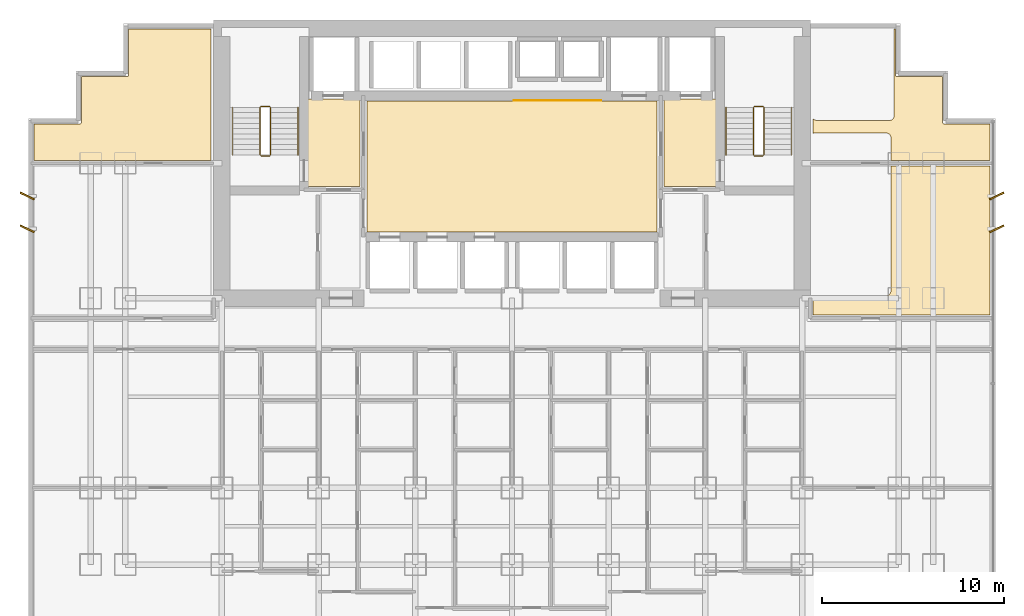
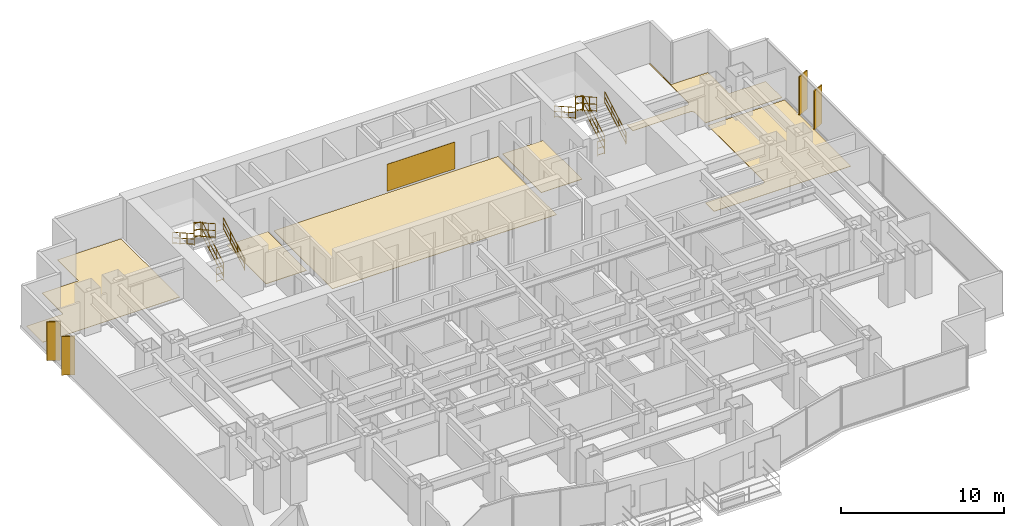
# One storey, part 12 of 12: 12 railings, 7 coverings, 4 shading devices.
"""IFC4 building model written with IfcOpenShell, lengths in metres."""

from ifc_helpers import new_model, si_unit, direction, frame, origin, origin_2d, place, context, subcontext, project, spatial, polyline, rectangle, circle, outline, extrude, source, transform, mapped, material, layer, layer_set, type_object, element, save


model = new_model("IFC4")

# Units and contexts
model_context = context("Model", 3, precision=1e-05, world=origin(), true_north=direction((0.0, 1.0)))
body_context = subcontext(model_context, "Body", "Model", "MODEL_VIEW")
ifc_project = project(units=[si_unit("LENGTHUNIT", "METRE"), si_unit("AREAUNIT", "SQUARE_METRE"), si_unit("VOLUMEUNIT", "CUBIC_METRE"), si_unit("PLANEANGLEUNIT", "RADIAN"), si_unit("MASSUNIT", "GRAM", prefix="KILO")], contexts=[model_context])

# Site, building, storey
site_placement = place(None, origin())
site = spatial("IfcSite", under=ifc_project, at=site_placement, CompositionType="ELEMENT")
building_placement = place(site_placement, origin())
building = spatial("IfcBuilding", under=site, at=building_placement, Name="Qianlan Lanfeng Residences", CompositionType="ELEMENT")
storey_placement = place(building_placement, frame((0.0, 0.0, 27.5)))
storey = spatial("IfcBuildingStorey", under=building, at=storey_placement, Name="L06", CompositionType="ELEMENT", Elevation=27.5)

# Coverings
ifc_material_1 = material(Name="Anodised Bronze Feature Wall Cladding")
ifc_layer_1 = layer(ifc_material_1, 0.02490234375)
ifc_layer_set_1 = layer_set([ifc_layer_1], Name="Anodised Bronze Feature Wall Cladding")
covering_type_1 = type_object("IfcCoveringType", Name="CLD-BRZ-25", PredefinedType="CLADDING", material=ifc_layer_set_1)
covering_1_placement = place(storey_placement, frame((0.0, 0.0, 0.14990234375)))
element("IfcCovering", 1, at=covering_1_placement, inside=storey, type_object=covering_type_1, Name="L06 Lift Lobby Bronze Feature Cladding", PredefinedType="CLADDING", context=body_context, shape_type="SweptSolid", body=[
    extrude(outline(polyline([(26.60009765625, 36.02490234375), (31.39990234375, 36.02490234375), (31.39990234375, 36.050048828125), (26.60009765625, 36.050048828125), (26.60009765625, 36.02490234375)])), origin(), (0.0, 0.0, 1.0), 2.02001953125),
])
ifc_material_2 = material(Name="Honed Taitung Granite Stone Flooring", Category="masonry")
ifc_layer_2 = layer(ifc_material_2, 0.030029296875)
ifc_layer_set_2 = layer_set([ifc_layer_2], Name="Honed Taitung Granite Stone Flooring")
covering_type_2 = type_object("IfcCoveringType", Name="FLR-STN-30", PredefinedType="FLOORING", material=ifc_layer_set_2)
covering_2_placement = place(storey_placement, origin())
element("IfcCovering", 2, at=covering_2_placement, inside=storey, type_object=covering_type_2, Name="L06 Firefighting Lift Lobby Floor Finish", PredefinedType="FLOORING", context=body_context, shape_type="SweptSolid", body=[
    extrude(outline(polyline([(15.2900390625, 31.320068359375), (18.179931640625, 31.320068359375), (18.179931640625, 36.110107421875), (15.2900390625, 36.110107421875), (15.2900390625, 31.320068359375)])), origin(), (0.0, 0.0, 1.0), 0.030029296875),
])
covering_3_placement = place(storey_placement, origin())
element("IfcCovering", 3, at=covering_3_placement, inside=storey, type_object=covering_type_2, Name="L06 Firefighting Lift Lobby Floor Finish", PredefinedType="FLOORING", context=body_context, shape_type="SweptSolid", body=[
    extrude(outline(polyline([(34.820068359375, 31.320068359375), (37.7099609375, 31.320068359375), (37.7099609375, 36.110107421875), (34.820068359375, 36.110107421875), (34.820068359375, 31.320068359375)])), origin(), (0.0, 0.0, 1.0), 0.030029296875),
])
covering_4_placement = place(storey_placement, origin())
element("IfcCovering", 4, at=covering_4_placement, inside=storey, type_object=covering_type_2, Name="L06 Lift Lobby Floor Finish", PredefinedType="FLOORING", context=body_context, shape_type="SweptSolid", body=[
    extrude(outline(polyline([(18.550048828125, 28.820068359375), (34.449951171875, 28.820068359375), (34.449951171875, 36.010009765625), (18.550048828125, 36.010009765625), (18.550048828125, 28.820068359375)])), origin(), (0.0, 0.0, 1.0), 0.030029296875),
])
ifc_material_3 = material(Name="Engineered Smoked Oak Timber Flooring", Category="wood")
ifc_layer_3 = layer(ifc_material_3, 0.02197265625)
ifc_layer_set_3 = layer_set([ifc_layer_3], Name="Engineered Smoked Oak Timber Flooring")
covering_type_3 = type_object("IfcCoveringType", Name="FLR-TIM-22", PredefinedType="FLOORING", material=ifc_layer_set_3)
covering_5_placement = place(storey_placement, origin())
element("IfcCovering", 5, at=covering_5_placement, inside=storey, type_object=covering_type_3, Name="L06 Resident Lounge Floor Finish", PredefinedType="FLOORING", context=body_context, shape_type="SweptSolid", body=[
    extrude(outline(polyline([(0.2900390625, 32.75), (10.0, 32.75), (10.0, 39.9599609375), (5.489990234375, 39.9599609375), (5.489990234375, 37.429931640625), (5.489990234375, 37.423095703125), (5.489013671875, 37.416015625), (5.487060546875, 37.409912109375), (5.485107421875, 37.403076171875), (5.48193359375, 37.39697265625), (5.47802734375, 37.39111328125), (5.47412109375, 37.385986328125), (5.468994140625, 37.381103515625), (5.464111328125, 37.3759765625), (5.458984375, 37.3720703125), (5.452880859375, 37.367919921875), (5.447021484375, 37.364990234375), (5.43994140625, 37.363037109375), (5.43408203125, 37.361083984375), (5.427001953125, 37.360107421875), (5.419921875, 37.360107421875), (2.889892578125, 37.360107421875), (2.889892578125, 34.830078125), (2.889892578125, 34.822998046875), (2.888916015625, 34.81591796875), (2.886962890625, 34.81005859375), (2.885009765625, 34.802978515625), (2.882080078125, 34.797119140625), (2.8779296875, 34.791015625), (2.8740234375, 34.785888671875), (2.868896484375, 34.781005859375), (2.864013671875, 34.77587890625), (2.85888671875, 34.77197265625), (2.85302734375, 34.76806640625), (2.846923828125, 34.764892578125), (2.840087890625, 34.762939453125), (2.833984375, 34.760986328125), (2.826904296875, 34.760009765625), (2.820068359375, 34.760009765625), (0.2900390625, 34.760009765625), (0.2900390625, 32.75)])), origin(), (0.0, 0.0, 1.0), 0.02197265625),
])
covering_6_placement = place(storey_placement, origin())
element("IfcCovering", 6, at=covering_6_placement, inside=storey, type_object=covering_type_3, Name="L06 Co-Working Business Suite Floor Finish", PredefinedType="FLOORING", context=body_context, shape_type="SweptSolid", body=[
    extrude(outline(polyline([(52.7099609375, 32.449951171875), (47.27001953125, 32.449951171875), (47.27001953125, 25.60009765625), (47.26904296875, 25.574951171875), (47.264892578125, 25.551025390625), (47.259033203125, 25.527099609375), (47.2509765625, 25.50390625), (47.239990234375, 25.48193359375), (47.22802734375, 25.4609375), (47.212890625, 25.44091796875), (47.197021484375, 25.423095703125), (47.178955078125, 25.406982421875), (47.158935546875, 25.39208984375), (47.137939453125, 25.3798828125), (47.115966796875, 25.368896484375), (47.093017578125, 25.361083984375), (47.069091796875, 25.35498046875), (47.044921875, 25.35107421875), (47.02001953125, 25.35009765625), (43.080078125, 25.35009765625), (43.054931640625, 25.35107421875), (43.031005859375, 25.35498046875), (43.007080078125, 25.361083984375), (43.0, 25.363037109375), (43.0, 24.280029296875), (52.7099609375, 24.280029296875), (52.7099609375, 32.449951171875)])), origin(), (0.0, 0.0, 1.0), 0.02197265625),
])
covering_7_placement = place(storey_placement, origin())
element("IfcCovering", 7, at=covering_7_placement, inside=storey, type_object=covering_type_3, Name="L06 Resident Lounge Floor Finish", PredefinedType="FLOORING", context=body_context, shape_type="SweptSolid", body=[
    extrude(outline(polyline([(43.0, 34.237060546875), (43.007080078125, 34.239013671875), (43.031005859375, 34.2451171875), (43.054931640625, 34.2490234375), (43.080078125, 34.25), (47.02001953125, 34.25), (47.044921875, 34.2490234375), (47.069091796875, 34.2451171875), (47.093017578125, 34.239013671875), (47.115966796875, 34.23095703125), (47.137939453125, 34.219970703125), (47.158935546875, 34.2080078125), (47.178955078125, 34.193115234375), (47.197021484375, 34.177001953125), (47.212890625, 34.158935546875), (47.22802734375, 34.138916015625), (47.239990234375, 34.117919921875), (47.2509765625, 34.095947265625), (47.259033203125, 34.072998046875), (47.264892578125, 34.049072265625), (47.26904296875, 34.02490234375), (47.27001953125, 34.0), (47.27001953125, 32.75), (52.7099609375, 32.75), (52.7099609375, 34.760009765625), (50.179931640625, 34.760009765625), (50.173095703125, 34.760009765625), (50.166015625, 34.760986328125), (50.159912109375, 34.762939453125), (50.153076171875, 34.764892578125), (50.14697265625, 34.76806640625), (50.14111328125, 34.77197265625), (50.135986328125, 34.77587890625), (50.131103515625, 34.781005859375), (50.1259765625, 34.785888671875), (50.1220703125, 34.791015625), (50.117919921875, 34.797119140625), (50.114990234375, 34.802978515625), (50.113037109375, 34.81005859375), (50.111083984375, 34.81591796875), (50.110107421875, 34.822998046875), (50.110107421875, 34.830078125), (50.110107421875, 37.360107421875), (47.580078125, 37.360107421875), (47.572998046875, 37.360107421875), (47.56591796875, 37.361083984375), (47.56005859375, 37.363037109375), (47.552978515625, 37.364990234375), (47.547119140625, 37.367919921875), (47.541015625, 37.3720703125), (47.535888671875, 37.3759765625), (47.531005859375, 37.381103515625), (47.52587890625, 37.385986328125), (47.52197265625, 37.39111328125), (47.51806640625, 37.39697265625), (47.514892578125, 37.403076171875), (47.512939453125, 37.409912109375), (47.510986328125, 37.416015625), (47.510009765625, 37.423095703125), (47.510009765625, 37.429931640625), (47.510009765625, 39.9599609375), (47.449951171875, 39.9599609375), (47.449951171875, 35.199951171875), (47.448974609375, 35.175048828125), (47.445068359375, 35.15087890625), (47.43896484375, 35.126953125), (47.430908203125, 35.10400390625), (47.419921875, 35.08203125), (47.407958984375, 35.06103515625), (47.39306640625, 35.041015625), (47.376953125, 35.02294921875), (47.35888671875, 35.007080078125), (47.339111328125, 34.991943359375), (47.318115234375, 34.97998046875), (47.2958984375, 34.968994140625), (47.27294921875, 34.9609375), (47.2490234375, 34.955078125), (47.22509765625, 34.950927734375), (47.199951171875, 34.949951171875), (43.199951171875, 34.949951171875), (43.175048828125, 34.950927734375), (43.15087890625, 34.955078125), (43.126953125, 34.9609375), (43.10400390625, 34.968994140625), (43.08203125, 34.97998046875), (43.06103515625, 34.991943359375), (43.041015625, 35.007080078125), (43.02294921875, 35.02294921875), (43.007080078125, 35.041015625), (43.0, 35.050048828125), (43.0, 34.237060546875)])), origin(), (0.0, 0.0, 1.0), 0.02197265625),
])

# Railings
ifc_material_4 = material(Name="Painted Galvanised Steel Guardrail", Category="steel")
railing_type_1 = type_object("IfcRailingType", Name="GR-ST-1120", PredefinedType="GUARDRAIL", material=ifc_material_4)
railing_1_placement = place(storey_placement, frame((13.27001953125, 33.050048828125, 0.1650390625)))
element("IfcRailing", 8, at=railing_1_placement, inside=storey, type_object=railing_type_1, Name="L06 ST-1 stair guard 1", PredefinedType="GUARDRAIL", context=body_context, shape_type="SweptSolid", body=[
    extrude(circle(Radius=0.02392578125, at=origin_2d()), frame((0.0, 0.0, 0.083984375), z_axis=(0.0, 0.869172267526, 0.494509422927), x_axis=(-1.0, 0.0, 0.0)), (0.0, 0.0, 1.0), 3.002685546875),
    extrude(circle(Radius=0.02392578125, at=origin_2d()), frame((0.0, 0.0, 0.58251953125), z_axis=(0.0, 0.869172267526, 0.494509422927), x_axis=(-1.0, 0.0, 0.0)), (0.0, 0.0, 1.0), 3.002685546875),
    extrude(circle(Radius=0.02392578125, at=origin_2d()), frame((0.0, 0.0, 1.09619140625), z_axis=(0.0, 0.869172267526, 0.494509422927), x_axis=(-1.0, 0.0, 0.0)), (0.0, 0.0, 1.0), 3.002685546875),
    extrude(circle(Radius=0.02099609375, at=origin_2d()), origin(), (0.0, 0.0, 1.0), 1.072021484375),
    extrude(circle(Radius=0.02099609375, at=origin_2d()), frame((0.0, 0.869873046875, 0.494873046875)), (0.0, 0.0, 1.0), 1.072021484375),
    extrude(circle(Radius=0.02099609375, at=origin_2d()), frame((0.0, 1.739990234375, 0.989990234375)), (0.0, 0.0, 1.0), 1.072021484375),
    extrude(circle(Radius=0.02099609375, at=origin_2d()), frame((0.0, 2.60986328125, 1.48486328125)), (0.0, 0.0, 1.0), 1.072021484375),
])
railing_2_placement = place(storey_placement, frame((13.219970703125, 35.7099609375, 1.64990234375)))
element("IfcRailing", 9, at=railing_2_placement, inside=storey, type_object=railing_type_1, Name="L06 ST-1 stair guard 2", PredefinedType="GUARDRAIL", context=body_context, shape_type="SweptSolid", body=[
    extrude(circle(Radius=0.02392578125, at=origin_2d()), frame((0.0, 0.0, 0.083984375), z_axis=(-1.0, 0.0, 0.0), x_axis=(0.0, -1.0, 0.0)), (0.0, 0.0, 1.0), 0.47998046875),
    extrude(circle(Radius=0.02392578125, at=origin_2d()), frame((0.0, 0.0, 0.58251953125), z_axis=(-1.0, 0.0, 0.0), x_axis=(0.0, -1.0, 0.0)), (0.0, 0.0, 1.0), 0.47998046875),
    extrude(circle(Radius=0.02392578125, at=origin_2d()), frame((0.0, 0.0, 1.09619140625), z_axis=(-1.0, 0.0, 0.0), x_axis=(0.0, -1.0, 0.0)), (0.0, 0.0, 1.0), 0.47998046875),
    extrude(circle(Radius=0.02099609375, at=origin_2d()), origin(), (0.0, 0.0, 1.0), 1.072021484375),
    extrude(circle(Radius=0.02099609375, at=origin_2d()), frame((-0.47998046875, 0.0, 0.0)), (0.0, 0.0, 1.0), 1.072021484375),
])
railing_3_placement = place(storey_placement, frame((12.68994140625, 35.659912109375, 1.81494140625)))
element("IfcRailing", 10, at=railing_3_placement, inside=storey, type_object=railing_type_1, Name="L06 ST-1 stair guard 3", PredefinedType="GUARDRAIL", context=body_context, shape_type="SweptSolid", body=[
    extrude(circle(Radius=0.02392578125, at=origin_2d()), frame((0.0, 0.0, 0.083984375), z_axis=(0.0, -0.869137319866, 0.494570843475), x_axis=(1.0, 0.0, 0.0)), (0.0, 0.0, 1.0), 3.0029296875),
    extrude(circle(Radius=0.02392578125, at=origin_2d()), frame((0.0, 0.0, 0.58251953125), z_axis=(0.0, -0.869137319866, 0.494570843475), x_axis=(1.0, 0.0, 0.0)), (0.0, 0.0, 1.0), 3.0029296875),
    extrude(circle(Radius=0.02392578125, at=origin_2d()), frame((0.0, 0.0, 1.09619140625), z_axis=(0.0, -0.869137319866, 0.494570843475), x_axis=(1.0, 0.0, 0.0)), (0.0, 0.0, 1.0), 3.0029296875),
    extrude(circle(Radius=0.02099609375, at=origin_2d()), origin(), (0.0, 0.0, 1.0), 1.072021484375),
    extrude(circle(Radius=0.02099609375, at=origin_2d()), frame((0.0, -0.869873046875, 0.4951171875)), (0.0, 0.0, 1.0), 1.072021484375),
    extrude(circle(Radius=0.02099609375, at=origin_2d()), frame((0.0, -1.739990234375, 0.989990234375)), (0.0, 0.0, 1.0), 1.072021484375),
    extrude(circle(Radius=0.02099609375, at=origin_2d()), frame((0.0, -2.60986328125, 1.485107421875)), (0.0, 0.0, 1.0), 1.072021484375),
])
railing_4_placement = place(storey_placement, frame((13.219970703125, 33.0, 0.0)))
element("IfcRailing", 11, at=railing_4_placement, inside=storey, type_object=railing_type_1, Name="L06 ST-1 stair guard 4", PredefinedType="GUARDRAIL", context=body_context, shape_type="SweptSolid", body=[
    extrude(circle(Radius=0.02392578125, at=origin_2d()), frame((0.0, 0.0, 0.083984375), z_axis=(-1.0, 0.0, 0.0), x_axis=(0.0, -1.0, 0.0)), (0.0, 0.0, 1.0), 0.47998046875),
    extrude(circle(Radius=0.02392578125, at=origin_2d()), frame((0.0, 0.0, 0.58251953125), z_axis=(-1.0, 0.0, 0.0), x_axis=(0.0, -1.0, 0.0)), (0.0, 0.0, 1.0), 0.47998046875),
    extrude(circle(Radius=0.02392578125, at=origin_2d()), frame((0.0, 0.0, 1.09619140625), z_axis=(-1.0, 0.0, 0.0), x_axis=(0.0, -1.0, 0.0)), (0.0, 0.0, 1.0), 0.47998046875),
    extrude(circle(Radius=0.02099609375, at=origin_2d()), origin(), (0.0, 0.0, 1.0), 1.072021484375),
    extrude(circle(Radius=0.02099609375, at=origin_2d()), frame((-0.47998046875, 0.0, 0.0)), (0.0, 0.0, 1.0), 1.072021484375),
])
railing_5_placement = place(storey_placement, frame((40.31005859375, 33.050048828125, 0.1650390625)))
element("IfcRailing", 12, at=railing_5_placement, inside=storey, type_object=railing_type_1, Name="L06 ST-2 stair guard 1", PredefinedType="GUARDRAIL", context=body_context, shape_type="SweptSolid", body=[
    extrude(circle(Radius=0.02392578125, at=origin_2d()), frame((0.0, 0.0, 0.083984375), z_axis=(0.0, 0.869172267526, 0.494509422927), x_axis=(-1.0, 0.0, 0.0)), (0.0, 0.0, 1.0), 3.002685546875),
    extrude(circle(Radius=0.02392578125, at=origin_2d()), frame((0.0, 0.0, 0.58251953125), z_axis=(0.0, 0.869172267526, 0.494509422927), x_axis=(-1.0, 0.0, 0.0)), (0.0, 0.0, 1.0), 3.002685546875),
    extrude(circle(Radius=0.02392578125, at=origin_2d()), frame((0.0, 0.0, 1.09619140625), z_axis=(0.0, 0.869172267526, 0.494509422927), x_axis=(-1.0, 0.0, 0.0)), (0.0, 0.0, 1.0), 3.002685546875),
    extrude(circle(Radius=0.02099609375, at=origin_2d()), origin(), (0.0, 0.0, 1.0), 1.072021484375),
    extrude(circle(Radius=0.02099609375, at=origin_2d()), frame((0.0, 0.869873046875, 0.494873046875)), (0.0, 0.0, 1.0), 1.072021484375),
    extrude(circle(Radius=0.02099609375, at=origin_2d()), frame((0.0, 1.739990234375, 0.989990234375)), (0.0, 0.0, 1.0), 1.072021484375),
    extrude(circle(Radius=0.02099609375, at=origin_2d()), frame((0.0, 2.60986328125, 1.48486328125)), (0.0, 0.0, 1.0), 1.072021484375),
])
railing_6_placement = place(storey_placement, frame((40.260009765625, 35.7099609375, 1.64990234375)))
element("IfcRailing", 13, at=railing_6_placement, inside=storey, type_object=railing_type_1, Name="L06 ST-2 stair guard 2", PredefinedType="GUARDRAIL", context=body_context, shape_type="SweptSolid", body=[
    extrude(circle(Radius=0.02392578125, at=origin_2d()), frame((0.0, 0.0, 0.083984375), z_axis=(-1.0, 0.0, 0.0), x_axis=(0.0, -1.0, 0.0)), (0.0, 0.0, 1.0), 0.47998046875),
    extrude(circle(Radius=0.02392578125, at=origin_2d()), frame((0.0, 0.0, 0.58251953125), z_axis=(-1.0, 0.0, 0.0), x_axis=(0.0, -1.0, 0.0)), (0.0, 0.0, 1.0), 0.47998046875),
    extrude(circle(Radius=0.02392578125, at=origin_2d()), frame((0.0, 0.0, 1.09619140625), z_axis=(-1.0, 0.0, 0.0), x_axis=(0.0, -1.0, 0.0)), (0.0, 0.0, 1.0), 0.47998046875),
    extrude(circle(Radius=0.02099609375, at=origin_2d()), origin(), (0.0, 0.0, 1.0), 1.072021484375),
    extrude(circle(Radius=0.02099609375, at=origin_2d()), frame((-0.47998046875, 0.0, 0.0)), (0.0, 0.0, 1.0), 1.072021484375),
])
railing_7_placement = place(storey_placement, frame((39.72998046875, 35.659912109375, 1.81494140625)))
element("IfcRailing", 14, at=railing_7_placement, inside=storey, type_object=railing_type_1, Name="L06 ST-2 stair guard 3", PredefinedType="GUARDRAIL", context=body_context, shape_type="SweptSolid", body=[
    extrude(circle(Radius=0.02392578125, at=origin_2d()), frame((0.0, 0.0, 0.083984375), z_axis=(0.0, -0.869137319866, 0.494570843475), x_axis=(1.0, 0.0, 0.0)), (0.0, 0.0, 1.0), 3.0029296875),
    extrude(circle(Radius=0.02392578125, at=origin_2d()), frame((0.0, 0.0, 0.58251953125), z_axis=(0.0, -0.869137319866, 0.494570843475), x_axis=(1.0, 0.0, 0.0)), (0.0, 0.0, 1.0), 3.0029296875),
    extrude(circle(Radius=0.02392578125, at=origin_2d()), frame((0.0, 0.0, 1.09619140625), z_axis=(0.0, -0.869137319866, 0.494570843475), x_axis=(1.0, 0.0, 0.0)), (0.0, 0.0, 1.0), 3.0029296875),
    extrude(circle(Radius=0.02099609375, at=origin_2d()), origin(), (0.0, 0.0, 1.0), 1.072021484375),
    extrude(circle(Radius=0.02099609375, at=origin_2d()), frame((0.0, -0.869873046875, 0.4951171875)), (0.0, 0.0, 1.0), 1.072021484375),
    extrude(circle(Radius=0.02099609375, at=origin_2d()), frame((0.0, -1.739990234375, 0.989990234375)), (0.0, 0.0, 1.0), 1.072021484375),
    extrude(circle(Radius=0.02099609375, at=origin_2d()), frame((0.0, -2.60986328125, 1.485107421875)), (0.0, 0.0, 1.0), 1.072021484375),
])
railing_8_placement = place(storey_placement, frame((40.260009765625, 33.0, 0.0)))
element("IfcRailing", 15, at=railing_8_placement, inside=storey, type_object=railing_type_1, Name="L06 ST-2 stair guard 4", PredefinedType="GUARDRAIL", context=body_context, shape_type="SweptSolid", body=[
    extrude(circle(Radius=0.02392578125, at=origin_2d()), frame((0.0, 0.0, 0.083984375), z_axis=(-1.0, 0.0, 0.0), x_axis=(0.0, -1.0, 0.0)), (0.0, 0.0, 1.0), 0.47998046875),
    extrude(circle(Radius=0.02392578125, at=origin_2d()), frame((0.0, 0.0, 0.58251953125), z_axis=(-1.0, 0.0, 0.0), x_axis=(0.0, -1.0, 0.0)), (0.0, 0.0, 1.0), 0.47998046875),
    extrude(circle(Radius=0.02392578125, at=origin_2d()), frame((0.0, 0.0, 1.09619140625), z_axis=(-1.0, 0.0, 0.0), x_axis=(0.0, -1.0, 0.0)), (0.0, 0.0, 1.0), 0.47998046875),
    extrude(circle(Radius=0.02099609375, at=origin_2d()), origin(), (0.0, 0.0, 1.0), 1.072021484375),
    extrude(circle(Radius=0.02099609375, at=origin_2d()), frame((-0.47998046875, 0.0, 0.0)), (0.0, 0.0, 1.0), 1.072021484375),
])
ifc_material_5 = material(Name="Brushed Stainless Steel Handrail", Category="steel")
railing_type_2 = type_object("IfcRailingType", Name="HR-ST-920", PredefinedType="HANDRAIL", material=ifc_material_5)
railing_9_placement = place(storey_placement, frame((14.77001953125, 33.050048828125, 0.1650390625)))
element("IfcRailing", 16, at=railing_9_placement, inside=storey, type_object=railing_type_2, Name="L06 ST-1 stair handrail 1", PredefinedType="HANDRAIL", context=body_context, shape_type="SweptSolid", body=[
    extrude(circle(Radius=0.02392578125, at=origin_2d()), frame((0.0, 0.0, 0.083984375), z_axis=(0.0, 0.869172267526, 0.494509422927), x_axis=(-1.0, 0.0, 0.0)), (0.0, 0.0, 1.0), 3.002685546875),
    extrude(circle(Radius=0.02392578125, at=origin_2d()), frame((0.0, 0.0, 0.468017578125), z_axis=(0.0, 0.869172267526, 0.494509422927), x_axis=(-1.0, 0.0, 0.0)), (0.0, 0.0, 1.0), 3.002685546875),
    extrude(circle(Radius=0.02392578125, at=origin_2d()), frame((0.0, 0.0, 0.8759765625), z_axis=(0.0, 0.869172267526, 0.494509422927), x_axis=(-1.0, 0.0, 0.0)), (0.0, 0.0, 1.0), 3.002685546875),
    extrude(circle(Radius=0.02099609375, at=origin_2d()), origin(), (0.0, 0.0, 1.0), 0.851806640625),
    extrude(circle(Radius=0.02099609375, at=origin_2d()), frame((0.0, 0.869873046875, 0.494873046875)), (0.0, 0.0, 1.0), 0.851806640625),
    extrude(circle(Radius=0.02099609375, at=origin_2d()), frame((0.0, 1.739990234375, 0.989990234375)), (0.0, 0.0, 1.0), 0.851806640625),
    extrude(circle(Radius=0.02099609375, at=origin_2d()), frame((0.0, 2.60986328125, 1.48486328125)), (0.0, 0.0, 1.0), 0.851806640625),
])
railing_10_placement = place(storey_placement, frame((11.18994140625, 35.659912109375, 1.81494140625)))
element("IfcRailing", 17, at=railing_10_placement, inside=storey, type_object=railing_type_2, Name="L06 ST-1 stair handrail 2", PredefinedType="HANDRAIL", context=body_context, shape_type="SweptSolid", body=[
    extrude(circle(Radius=0.02392578125, at=origin_2d()), frame((0.0, 0.0, 0.083984375), z_axis=(0.0, -0.869137319866, 0.494570843475), x_axis=(1.0, 0.0, 0.0)), (0.0, 0.0, 1.0), 3.0029296875),
    extrude(circle(Radius=0.02392578125, at=origin_2d()), frame((0.0, 0.0, 0.468017578125), z_axis=(0.0, -0.869137319866, 0.494570843475), x_axis=(1.0, 0.0, 0.0)), (0.0, 0.0, 1.0), 3.0029296875),
    extrude(circle(Radius=0.02392578125, at=origin_2d()), frame((0.0, 0.0, 0.8759765625), z_axis=(0.0, -0.869137319866, 0.494570843475), x_axis=(1.0, 0.0, 0.0)), (0.0, 0.0, 1.0), 3.0029296875),
    extrude(circle(Radius=0.02099609375, at=origin_2d()), origin(), (0.0, 0.0, 1.0), 0.851806640625),
    extrude(circle(Radius=0.02099609375, at=origin_2d()), frame((0.0, -0.869873046875, 0.4951171875)), (0.0, 0.0, 1.0), 0.851806640625),
    extrude(circle(Radius=0.02099609375, at=origin_2d()), frame((0.0, -1.739990234375, 0.989990234375)), (0.0, 0.0, 1.0), 0.851806640625),
    extrude(circle(Radius=0.02099609375, at=origin_2d()), frame((0.0, -2.60986328125, 1.485107421875)), (0.0, 0.0, 1.0), 0.851806640625),
])
railing_11_placement = place(storey_placement, frame((41.81005859375, 33.050048828125, 0.1650390625)))
element("IfcRailing", 18, at=railing_11_placement, inside=storey, type_object=railing_type_2, Name="L06 ST-2 stair handrail 1", PredefinedType="HANDRAIL", context=body_context, shape_type="SweptSolid", body=[
    extrude(circle(Radius=0.02392578125, at=origin_2d()), frame((0.0, 0.0, 0.083984375), z_axis=(0.0, 0.869172267526, 0.494509422927), x_axis=(-1.0, 0.0, 0.0)), (0.0, 0.0, 1.0), 3.002685546875),
    extrude(circle(Radius=0.02392578125, at=origin_2d()), frame((0.0, 0.0, 0.468017578125), z_axis=(0.0, 0.869172267526, 0.494509422927), x_axis=(-1.0, 0.0, 0.0)), (0.0, 0.0, 1.0), 3.002685546875),
    extrude(circle(Radius=0.02392578125, at=origin_2d()), frame((0.0, 0.0, 0.8759765625), z_axis=(0.0, 0.869172267526, 0.494509422927), x_axis=(-1.0, 0.0, 0.0)), (0.0, 0.0, 1.0), 3.002685546875),
    extrude(circle(Radius=0.02099609375, at=origin_2d()), origin(), (0.0, 0.0, 1.0), 0.851806640625),
    extrude(circle(Radius=0.02099609375, at=origin_2d()), frame((0.0, 0.869873046875, 0.494873046875)), (0.0, 0.0, 1.0), 0.851806640625),
    extrude(circle(Radius=0.02099609375, at=origin_2d()), frame((0.0, 1.739990234375, 0.989990234375)), (0.0, 0.0, 1.0), 0.851806640625),
    extrude(circle(Radius=0.02099609375, at=origin_2d()), frame((0.0, 2.60986328125, 1.48486328125)), (0.0, 0.0, 1.0), 0.851806640625),
])
railing_12_placement = place(storey_placement, frame((38.22998046875, 35.659912109375, 1.81494140625)))
element("IfcRailing", 19, at=railing_12_placement, inside=storey, type_object=railing_type_2, Name="L06 ST-2 stair handrail 2", PredefinedType="HANDRAIL", context=body_context, shape_type="SweptSolid", body=[
    extrude(circle(Radius=0.02392578125, at=origin_2d()), frame((0.0, 0.0, 0.083984375), z_axis=(0.0, -0.869137319866, 0.494570843475), x_axis=(1.0, 0.0, 0.0)), (0.0, 0.0, 1.0), 3.0029296875),
    extrude(circle(Radius=0.02392578125, at=origin_2d()), frame((0.0, 0.0, 0.468017578125), z_axis=(0.0, -0.869137319866, 0.494570843475), x_axis=(1.0, 0.0, 0.0)), (0.0, 0.0, 1.0), 3.0029296875),
    extrude(circle(Radius=0.02392578125, at=origin_2d()), frame((0.0, 0.0, 0.8759765625), z_axis=(0.0, -0.869137319866, 0.494570843475), x_axis=(1.0, 0.0, 0.0)), (0.0, 0.0, 1.0), 3.0029296875),
    extrude(circle(Radius=0.02099609375, at=origin_2d()), origin(), (0.0, 0.0, 1.0), 0.851806640625),
    extrude(circle(Radius=0.02099609375, at=origin_2d()), frame((0.0, -0.869873046875, 0.4951171875)), (0.0, 0.0, 1.0), 0.851806640625),
    extrude(circle(Radius=0.02099609375, at=origin_2d()), frame((0.0, -1.739990234375, 0.989990234375)), (0.0, 0.0, 1.0), 0.851806640625),
    extrude(circle(Radius=0.02099609375, at=origin_2d()), frame((0.0, -2.60986328125, 1.485107421875)), (0.0, 0.0, 1.0), 0.851806640625),
])

# Shading devices
ifc_material_6 = material(Name="Anodised Bronze Aluminium Solar Fin", Category="aluminium")
shading_device_type = type_object("IfcShadingDeviceType", Name="FIN-BRZ-850", PredefinedType="SHUTTER", material=ifc_material_6)
shared_shape = source(origin(), body_context, "Body", "SweptSolid", [
    extrude(rectangle(XDim=0.85009765625, YDim=0.080078125, at=origin_2d()), origin(), (0.0, 0.0, 1.0), 2.89990234375),
])
for number, where, z_axis, x_axis, name in (
    (20, (-0.070068359375, 29.0, 0.0), (0.0, 0.0, 1.0), (0.898794046299, -0.438371146789, 0.0), "L06 Raked Bronze Solar Fin W1"),
    (21, (-0.070068359375, 30.800048828125, 0.0), (0.0, 0.0, 1.0), (0.898794046299, -0.438371146789, 0.0), "L06 Raked Bronze Solar Fin W2"),
    (22, (53.070068359375, 29.0, 0.0), (0.0, 0.0, 1.0), (0.898794046299, 0.438371146789, 0.0), "L06 Raked Bronze Solar Fin E1"),
    (23, (53.070068359375, 30.800048828125, 0.0), (0.0, 0.0, 1.0), (0.898794046299, 0.438371146789, 0.0), "L06 Raked Bronze Solar Fin E2"),
):
    element("IfcShadingDevice", number, at=place(storey_placement, frame(where, z_axis=z_axis, x_axis=x_axis)), inside=storey, type_object=shading_device_type, Name=name, PredefinedType="SHUTTER", context=body_context, shape_type="MappedRepresentation", body=[
        mapped(shared_shape, transform((0.0, 0.0, 0.0), scale=1.0)),
    ])

save(model, "model.ifc")
